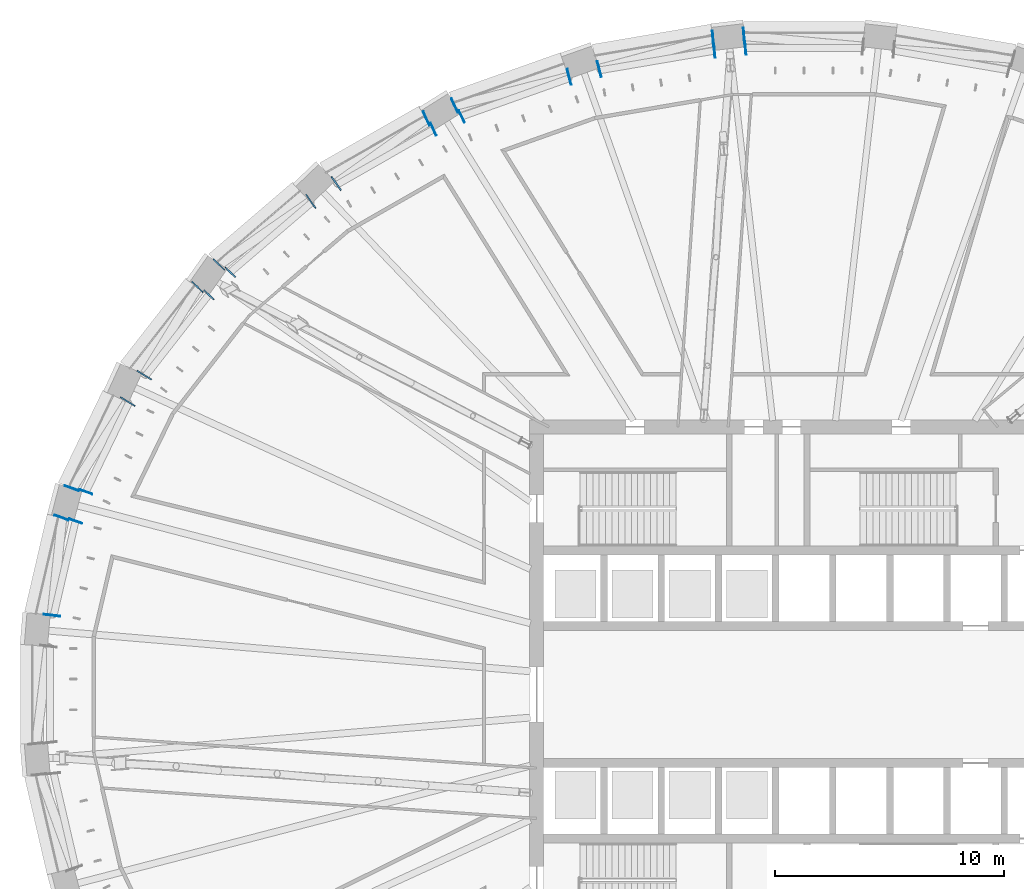
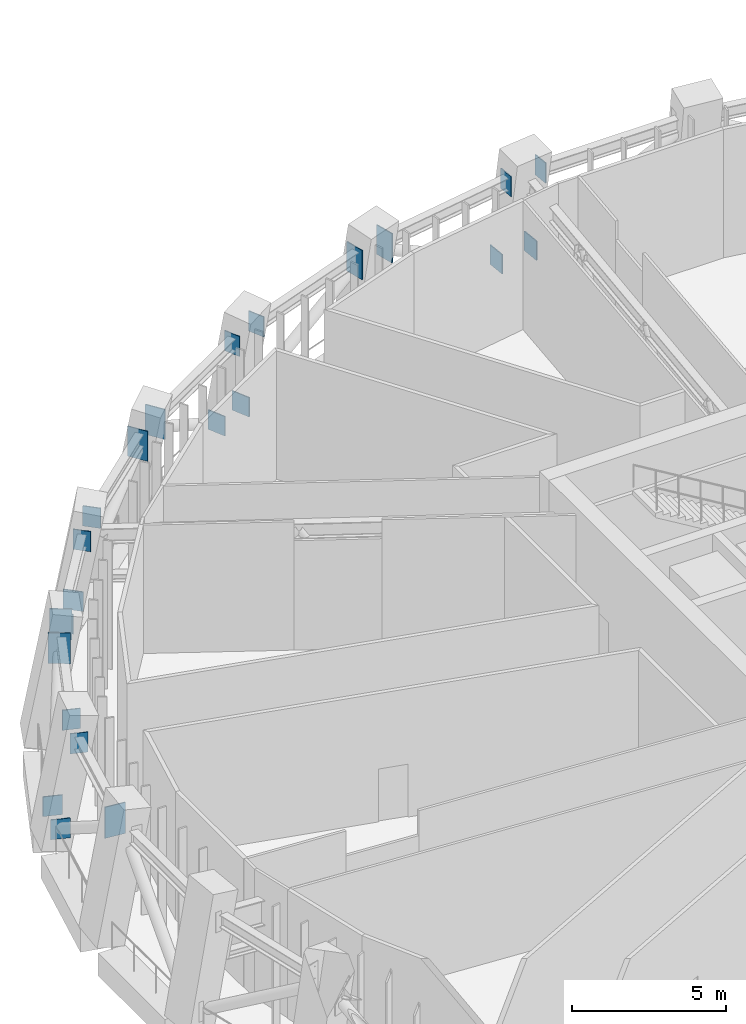
# One storey, part 14 of 21: 23 discrete accessories.
"""IFC4 building model written with IfcOpenShell, lengths in metres."""

from ifc_helpers import new_model, si_unit, direction, frame, origin, origin_2d, place, context, subcontext, project, spatial, rectangle, extrude, material, layer, layer_set, type_object, element, save


model = new_model("IFC4")

# Units and contexts
model_context = context("Model", 3, precision=1e-05, world=origin(), true_north=direction((0.0, 1.0)))
body_context = subcontext(model_context, "Body", "Model", "MODEL_VIEW")
ifc_project = project(units=[si_unit("LENGTHUNIT", "METRE"), si_unit("AREAUNIT", "SQUARE_METRE"), si_unit("VOLUMEUNIT", "CUBIC_METRE"), si_unit("PLANEANGLEUNIT", "RADIAN"), si_unit("MASSUNIT", "GRAM", prefix="KILO")], contexts=[model_context])

# Site, building, storey
site_placement = place(None, origin())
site = spatial("IfcSite", under=ifc_project, at=site_placement, CompositionType="ELEMENT")
building_placement = place(site_placement, origin())
building = spatial("IfcBuilding", under=site, at=building_placement, Name="Halqa Exchange Tower", CompositionType="ELEMENT")
storey_placement = place(building_placement, frame((0.0, 0.0, 173.5)))
storey = spatial("IfcBuildingStorey", under=building, at=storey_placement, Name="L39", CompositionType="ELEMENT", Elevation=173.5)

# Discrete accessories
ifc_material = material(Name="Steel S355", Category="steel")
ifc_layer = layer(ifc_material, 0.0400390625)
ifc_layer_set = layer_set([ifc_layer], Name="Steel S355")
discrete_accessory_type = type_object("IfcDiscreteAccessoryType", Name="Belt truss anchor plate 40", PredefinedType="ANCHORPLATE", material=ifc_layer_set)
discrete_accessory_1_placement = place(storey_placement, frame((-3.900390625, 28.151611328125, 4.25), z_axis=(-0.996376129781, -0.085056498884, 0.0), x_axis=(0.085056498884, -0.996376129781, 0.0)))
element("IfcDiscreteAccessory", 1, at=discrete_accessory_1_placement, inside=storey, type_object=discrete_accessory_type, Name="Belt truss anchor plate", PredefinedType="ANCHORPLATE", context=body_context, shape_type="SweptSolid", body=[
    extrude(rectangle(XDim=0.60009765625, YDim=0.800048828125, at=origin_2d()), origin(), (0.0, 0.0, 1.0), 0.040283203125),
])
discrete_accessory_2_placement = place(storey_placement, frame((-2.585205078125, 28.2626953125, 4.25), z_axis=(0.996331773833, 0.085574508182, 0.0), x_axis=(-0.085574508182, 0.996331773833, 0.0)))
element("IfcDiscreteAccessory", 2, at=discrete_accessory_2_placement, inside=storey, type_object=discrete_accessory_type, Name="Belt truss anchor plate", PredefinedType="ANCHORPLATE", context=body_context, shape_type="SweptSolid", body=[
    extrude(rectangle(XDim=0.60009765625, YDim=0.800048828125, at=origin_2d()), origin(), (0.0, 0.0, 1.0), 0.0400390625),
])
discrete_accessory_3_placement = place(storey_placement, frame((-3.9638671875, 28.688720703125, 0.892333984375), z_axis=(-0.996376129781, -0.085056498884, 0.0), x_axis=(0.085056498884, -0.996376129781, 0.0)))
element("IfcDiscreteAccessory", 3, at=discrete_accessory_3_placement, inside=storey, type_object=discrete_accessory_type, Name="Belt truss anchor plate", PredefinedType="ANCHORPLATE", context=body_context, shape_type="SweptSolid", body=[
    extrude(rectangle(XDim=0.69189453125, YDim=0.76904296875, at=origin_2d()), origin(), (0.0, 0.0, 1.0), 0.040283203125),
])
discrete_accessory_4_placement = place(storey_placement, frame((-2.648681640625, 28.80029296875, 0.887939453125), z_axis=(0.996331773833, 0.085574508182, 0.0), x_axis=(-0.085574508182, 0.996331773833, 0.0)))
element("IfcDiscreteAccessory", 4, at=discrete_accessory_4_placement, inside=storey, type_object=discrete_accessory_type, Name="Belt truss anchor plate", PredefinedType="ANCHORPLATE", context=body_context, shape_type="SweptSolid", body=[
    extrude(rectangle(XDim=0.693115234375, YDim=0.76806640625, at=origin_2d()), origin(), (0.0, 0.0, 1.0), 0.0400390625),
])
discrete_accessory_5_placement = place(storey_placement, frame((-10.2568359375, 27.010986328125, 4.065185546875), z_axis=(-0.968324838627, -0.249693826313, 0.0), x_axis=(0.249693826313, -0.968324838627, 0.0)))
element("IfcDiscreteAccessory", 5, at=discrete_accessory_5_placement, inside=storey, type_object=discrete_accessory_type, Name="Belt truss anchor plate", PredefinedType="ANCHORPLATE", context=body_context, shape_type="SweptSolid", body=[
    extrude(rectangle(XDim=0.716064453125, YDim=1.169921875, at=origin_2d()), origin(), (0.0, 0.0, 1.0), 0.0400390625),
])
discrete_accessory_6_placement = place(storey_placement, frame((-8.9794921875, 27.343505859375, 4.06494140625), z_axis=(0.967941754644, 0.251174759116, 0.0), x_axis=(-0.251174759116, 0.967941754644, 0.0)))
element("IfcDiscreteAccessory", 6, at=discrete_accessory_6_placement, inside=storey, type_object=discrete_accessory_type, Name="Belt truss anchor plate", PredefinedType="ANCHORPLATE", context=body_context, shape_type="SweptSolid", body=[
    extrude(rectangle(XDim=0.715087890625, YDim=1.169921875, at=origin_2d()), origin(), (0.0, 0.0, 1.0), 0.039794921875),
])
for number, where, z_axis, x_axis, name in (
    (7, (-16.19384765625, 24.716796875, 4.25), (-0.9097381412, -0.415182507393, 0.0), (0.415182507393, -0.9097381412, 0.0), "Belt truss anchor plate"),
    (8, (-14.994384765625, 25.267578125, 4.25), (0.90742390538, 0.420216439404, 0.0), (-0.420216439404, 0.90742390538, 0.0), "Belt truss anchor plate"),
):
    element("IfcDiscreteAccessory", number, at=place(storey_placement, frame(where, z_axis=z_axis, x_axis=x_axis)), inside=storey, type_object=discrete_accessory_type, Name=name, PredefinedType="ANCHORPLATE", context=body_context, shape_type="SweptSolid", body=[
        extrude(rectangle(XDim=0.60009765625, YDim=0.800048828125, at=origin_2d()), origin(), (0.0, 0.0, 1.0), 0.0400390625),
    ])
discrete_accessory_7_placement = place(storey_placement, frame((-16.497802734375, 25.1904296875, 0.912353515625), z_axis=(-0.9097381412, -0.415182507393, 0.0), x_axis=(0.415182507393, -0.9097381412, 0.0)))
element("IfcDiscreteAccessory", 9, at=discrete_accessory_7_placement, inside=storey, type_object=discrete_accessory_type, Name="Belt truss anchor plate", PredefinedType="ANCHORPLATE", context=body_context, shape_type="SweptSolid", body=[
    extrude(rectangle(XDim=0.681884765625, YDim=0.77392578125, at=origin_2d()), origin(), (0.0, 0.0, 1.0), 0.0400390625),
])
discrete_accessory_8_placement = place(storey_placement, frame((-15.299072265625, 25.7431640625, 0.891845703125), z_axis=(0.9097381412, 0.415182507393, 0.0), x_axis=(-0.415182507393, 0.9097381412, 0.0)))
element("IfcDiscreteAccessory", 10, at=discrete_accessory_8_placement, inside=storey, type_object=discrete_accessory_type, Name="Belt truss anchor plate", PredefinedType="ANCHORPLATE", context=body_context, shape_type="SweptSolid", body=[
    extrude(rectangle(XDim=0.68896484375, YDim=0.76904296875, at=origin_2d()), origin(), (0.0, 0.0, 1.0), 0.0400390625),
])
discrete_accessory_9_placement = place(storey_placement, frame((-21.557861328125, 21.5712890625, 4.054931640625), z_axis=(-0.81865747399, -0.57428210862, 0.0), x_axis=(0.57428210862, -0.81865747399, 0.0)))
element("IfcDiscreteAccessory", 11, at=discrete_accessory_9_placement, inside=storey, type_object=discrete_accessory_type, Name="Belt truss anchor plate", PredefinedType="ANCHORPLATE", context=body_context, shape_type="SweptSolid", body=[
    extrude(rectangle(XDim=0.721923828125, YDim=1.18994140625, at=origin_2d()), origin(), (0.0, 0.0, 1.0), 0.0400390625),
])
discrete_accessory_10_placement = place(storey_placement, frame((-20.478759765625, 22.331787109375, 4.054443359375), z_axis=(0.81865747399, 0.57428210862, 0.0), x_axis=(-0.57428210862, 0.81865747399, 0.0)))
element("IfcDiscreteAccessory", 12, at=discrete_accessory_10_placement, inside=storey, type_object=discrete_accessory_type, Name="Belt truss anchor plate", PredefinedType="ANCHORPLATE", context=body_context, shape_type="SweptSolid", body=[
    extrude(rectangle(XDim=0.719970703125, YDim=1.19091796875, at=origin_2d()), origin(), (0.0, 0.0, 1.0), 0.0400390625),
])
discrete_accessory_11_placement = place(storey_placement, frame((-26.02001953125, 17.492919921875, 4.25), z_axis=(-0.691639439628, -0.722242954656, 0.0), x_axis=(0.722242954656, -0.691639439628, 0.0)))
element("IfcDiscreteAccessory", 13, at=discrete_accessory_11_placement, inside=storey, type_object=discrete_accessory_type, Name="Belt truss anchor plate", PredefinedType="ANCHORPLATE", context=body_context, shape_type="SweptSolid", body=[
    extrude(rectangle(XDim=0.60009765625, YDim=0.800048828125, at=origin_2d()), origin(), (0.0, 0.0, 1.0), 0.039794921875),
])
discrete_accessory_12_placement = place(storey_placement, frame((-25.108642578125, 18.447998046875, 4.25), z_axis=(0.694812020929, 0.719191390085, 0.0), x_axis=(-0.719191390085, 0.694812020929, 0.0)))
element("IfcDiscreteAccessory", 14, at=discrete_accessory_12_placement, inside=storey, type_object=discrete_accessory_type, Name="Belt truss anchor plate", PredefinedType="ANCHORPLATE", context=body_context, shape_type="SweptSolid", body=[
    extrude(rectangle(XDim=0.60009765625, YDim=0.800048828125, at=origin_2d()), origin(), (0.0, 0.0, 1.0), 0.0400390625),
])
discrete_accessory_13_placement = place(storey_placement, frame((-26.515625, 17.831298828125, 0.93896484375), z_axis=(-0.691639439628, -0.722242954656, 0.0), x_axis=(0.722242954656, -0.691639439628, 0.0)))
element("IfcDiscreteAccessory", 15, at=discrete_accessory_13_placement, inside=storey, type_object=discrete_accessory_type, Name="Belt truss anchor plate", PredefinedType="ANCHORPLATE", context=body_context, shape_type="SweptSolid", body=[
    extrude(rectangle(XDim=0.666015625, YDim=0.781982421875, at=origin_2d()), origin(), (0.0, 0.0, 1.0), 0.039794921875),
])
discrete_accessory_14_placement = place(storey_placement, frame((-25.606201171875, 18.787841796875, 0.911376953125), z_axis=(0.691773553935, 0.722114499284, 0.0), x_axis=(-0.722114499284, 0.691773553935, 0.0)))
element("IfcDiscreteAccessory", 16, at=discrete_accessory_14_placement, inside=storey, type_object=discrete_accessory_type, Name="Belt truss anchor plate", PredefinedType="ANCHORPLATE", context=body_context, shape_type="SweptSolid", body=[
    extrude(rectangle(XDim=0.675048828125, YDim=0.77392578125, at=origin_2d()), origin(), (0.0, 0.0, 1.0), 0.040283203125),
])
discrete_accessory_15_placement = place(storey_placement, frame((-29.564697265625, 12.82421875, 4.04052734375), z_axis=(-0.530546985787, -0.847655529016, 0.0), x_axis=(0.847655529016, -0.530546985787, 0.0)))
element("IfcDiscreteAccessory", 17, at=discrete_accessory_15_placement, inside=storey, type_object=discrete_accessory_type, Name="Belt truss anchor plate", PredefinedType="ANCHORPLATE", context=body_context, shape_type="SweptSolid", body=[
    extrude(rectangle(XDim=0.73095703125, YDim=1.218994140625, at=origin_2d()), origin(), (0.0, 0.0, 1.0), 0.0400390625),
])
discrete_accessory_16_placement = place(storey_placement, frame((-28.8671875, 13.944580078125, 4.040283203125), z_axis=(0.527815847616, 0.849358835243, 0.0), x_axis=(-0.849358835243, 0.527815847616, 0.0)))
element("IfcDiscreteAccessory", 18, at=discrete_accessory_16_placement, inside=storey, type_object=discrete_accessory_type, Name="Belt truss anchor plate", PredefinedType="ANCHORPLATE", context=body_context, shape_type="SweptSolid", body=[
    extrude(rectangle(XDim=0.72900390625, YDim=1.219970703125, at=origin_2d()), origin(), (0.0, 0.0, 1.0), 0.040283203125),
])
for number, where, z_axis, x_axis, name in (
    (19, (-31.856201171875, 7.5966796875, 4.25), (-0.330896267797, -0.943667134088, 0.0), (0.943667134088, -0.330896267797, 0.0), "Belt truss anchor plate"),
    (20, (-31.4169921875, 8.841796875, 4.25), (0.330896267797, 0.943667134088, 0.0), (-0.943667134088, 0.330896267797, 0.0), "Belt truss anchor plate"),
):
    element("IfcDiscreteAccessory", number, at=place(storey_placement, frame(where, z_axis=z_axis, x_axis=x_axis)), inside=storey, type_object=discrete_accessory_type, Name=name, PredefinedType="ANCHORPLATE", context=body_context, shape_type="SweptSolid", body=[
        extrude(rectangle(XDim=0.60009765625, YDim=0.800048828125, at=origin_2d()), origin(), (0.0, 0.0, 1.0), 0.039794921875),
    ])
discrete_accessory_17_placement = place(storey_placement, frame((-32.467041015625, 7.75048828125, 0.95751953125), z_axis=(-0.336336396998, -0.941741911595, 0.0), x_axis=(0.941741911595, -0.336336396998, 0.0)))
element("IfcDiscreteAccessory", 21, at=discrete_accessory_17_placement, inside=storey, type_object=discrete_accessory_type, Name="Belt truss anchor plate", PredefinedType="ANCHORPLATE", context=body_context, shape_type="SweptSolid", body=[
    extrude(rectangle(XDim=0.652099609375, YDim=0.787109375, at=origin_2d()), origin(), (0.0, 0.0, 1.0), 0.0400390625),
])
discrete_accessory_18_placement = place(storey_placement, frame((-32.029541015625, 8.99609375, 0.939697265625), z_axis=(0.330896267797, 0.943667134088, 0.0), x_axis=(-0.943667134088, 0.330896267797, 0.0)))
element("IfcDiscreteAccessory", 22, at=discrete_accessory_18_placement, inside=storey, type_object=discrete_accessory_type, Name="Belt truss anchor plate", PredefinedType="ANCHORPLATE", context=body_context, shape_type="SweptSolid", body=[
    extrude(rectangle(XDim=0.657958984375, YDim=0.781982421875, at=origin_2d()), origin(), (0.0, 0.0, 1.0), 0.039794921875),
])
discrete_accessory_19_placement = place(storey_placement, frame((-32.89013671875, 3.4384765625, 4.031005859375), z_axis=(0.115780500934, 0.993274823804, 0.0), x_axis=(-0.993274823804, 0.115780500934, 0.0)))
element("IfcDiscreteAccessory", 23, at=discrete_accessory_19_placement, inside=storey, type_object=discrete_accessory_type, Name="Belt truss anchor plate", PredefinedType="ANCHORPLATE", context=body_context, shape_type="SweptSolid", body=[
    extrude(rectangle(XDim=0.735107421875, YDim=1.238037109375, at=origin_2d()), origin(), (0.0, 0.0, 1.0), 0.0400390625),
])

save(model, "model.ifc")
